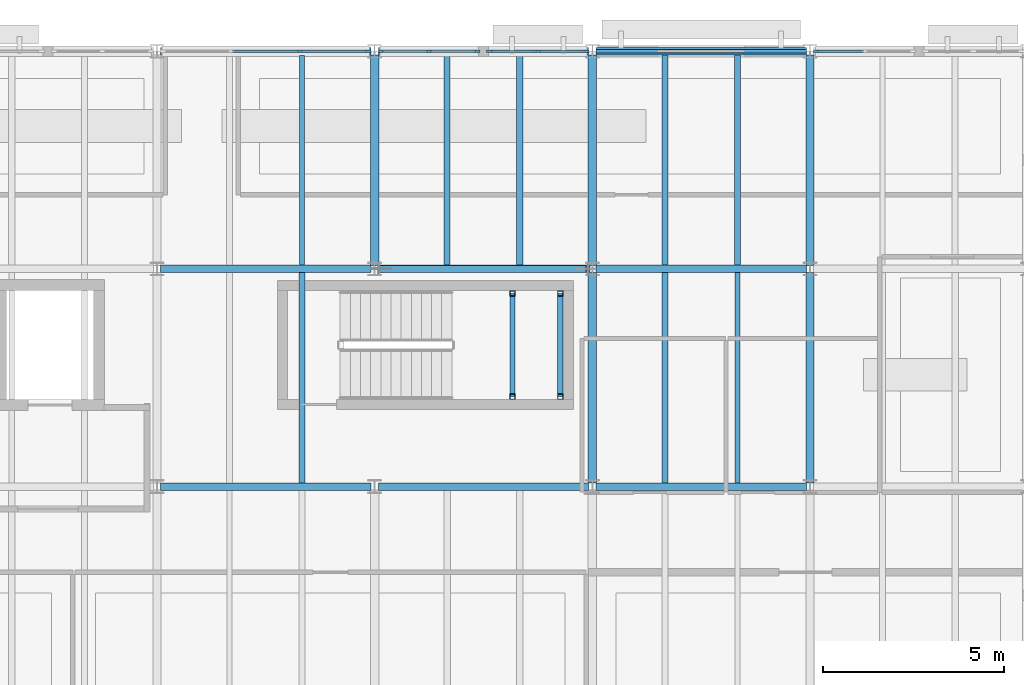
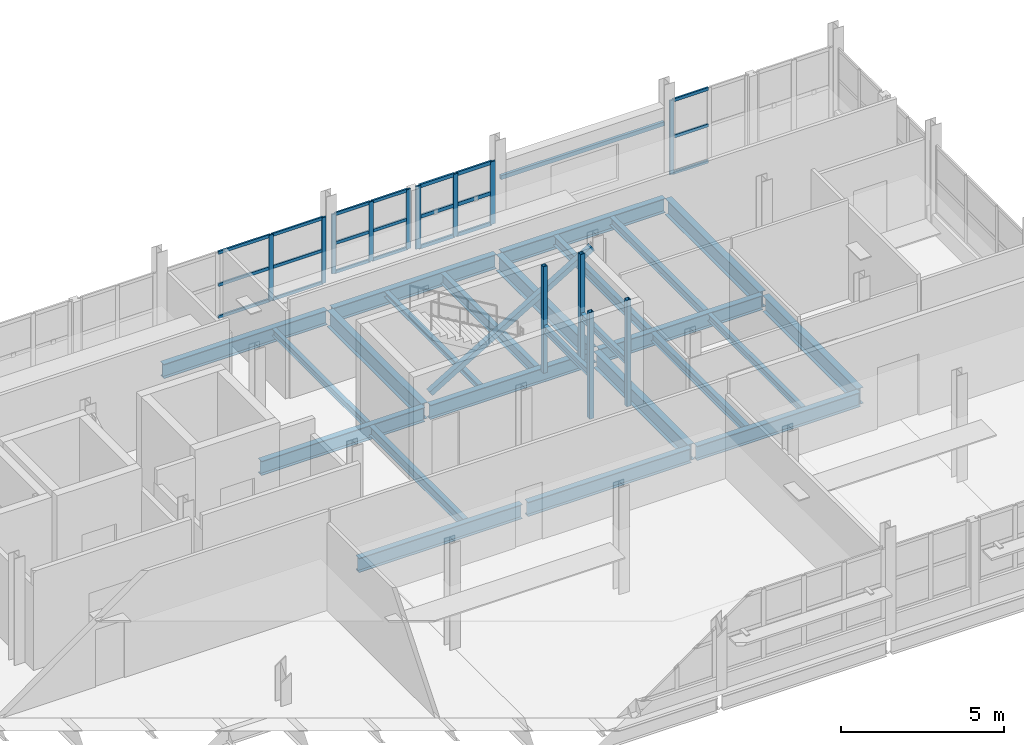
# One storey, part 43 of 92: 35 members, 25 beams, 4 elements without a shape of their own.
"""IFC4 building model written with IfcOpenShell, lengths in metres."""

from ifc_helpers import new_model, si_unit, direction, frame, origin, origin_2d, place, context, subcontext, project, spatial, rectangle, hollow_rectangle, i_section, extrude, material, material_profile, profile_set, type_object, element, aggregate, save


model = new_model("IFC4")

# Units and contexts
model_context = context("Model", 3, precision=1e-05, world=origin(), true_north=direction((0.0, 1.0)))
body_context = subcontext(model_context, "Body", "Model", "MODEL_VIEW")
ifc_project = project(units=[si_unit("LENGTHUNIT", "METRE"), si_unit("AREAUNIT", "SQUARE_METRE"), si_unit("VOLUMEUNIT", "CUBIC_METRE"), si_unit("PLANEANGLEUNIT", "RADIAN"), si_unit("MASSUNIT", "GRAM", prefix="KILO")], contexts=[model_context])

# Site, building, storey
site_placement = place(None, origin())
site = spatial("IfcSite", under=ifc_project, at=site_placement, CompositionType="ELEMENT")
building_placement = place(site_placement, origin())
building = spatial("IfcBuilding", under=site, at=building_placement, Name="Siltcreek Boulevard Central Fire Station", CompositionType="ELEMENT")
storey_placement = place(building_placement, frame((0.0, 0.0, 6.0)))
storey = spatial("IfcBuildingStorey", under=building, at=storey_placement, Name="L02", CompositionType="ELEMENT", Elevation=6.0)

# Beams
ifc_material_1 = material(Name="Structural steel ASTM A992 Gr50", Category="steel")
ifc_material_profile_1 = material_profile(ifc_material_1, i_section(OverallWidth=0.2109375, OverallDepth=0.5390625, WebThickness=0.01171875, FlangeThickness=0.018798828125, at=origin_2d()), Name="W530X109")
ifc_profile_set_1 = profile_set([ifc_material_profile_1], Name="Structural steel ASTM A992 Gr50")
beam_type_1 = type_object("IfcBeamType", Name="BM_W530X109", PredefinedType="BEAM", material=ifc_profile_set_1)
for number, where, z_axis, x_axis, name in (
    (1, (142.300048828125, 100.199951171875, -0.589599609375), (1.0, 0.0, 0.0), (0.0, 1.0, 0.0), "L02 primary steel girder GX-0186"),
    (2, (148.300048828125, 100.199951171875, -0.589599609375), (1.0, 0.0, 0.0), (0.0, 1.0, 0.0), "L02 primary steel girder GX-0187"),
    (3, (154.300048828125, 100.199951171875, -0.589599609375), (1.0, 0.0, 0.0), (0.0, 1.0, 0.0), "L02 primary steel girder GX-0188"),
    (4, (142.300048828125, 106.199951171875, -0.589599609375), (1.0, 0.0, 0.0), (0.0, 1.0, 0.0), "L02 primary steel girder GX-0193"),
    (5, (148.300048828125, 106.199951171875, -0.589599609375), (1.0, 0.0, 0.0), (0.0, 1.0, 0.0), "L02 primary steel girder GX-0194"),
    (6, (154.300048828125, 106.199951171875, -0.589599609375), (1.0, 0.0, 0.0), (0.0, 1.0, 0.0), "L02 primary steel girder GX-0195"),
    (7, (142.300048828125, 112.199951171875, -0.589599609375), (1.0, 0.0, 0.0), (0.0, 1.0, 0.0), "L02 primary steel girder GX-0200"),
    (8, (148.300048828125, 112.199951171875, -0.589599609375), (1.0, 0.0, 0.0), (0.0, 1.0, 0.0), "L02 primary steel girder GX-0201"),
    (9, (154.300048828125, 112.199951171875, -0.589599609375), (1.0, 0.0, 0.0), (0.0, 1.0, 0.0), "L02 primary steel girder GX-0202"),
):
    element("IfcBeam", number, at=place(storey_placement, frame(where, z_axis=z_axis, x_axis=x_axis)), inside=storey, type_object=beam_type_1, Name=name, PredefinedType="BEAM", context=body_context, shape_type="SweptSolid", body=[
        extrude(i_section(OverallWidth=0.2109375, OverallDepth=0.5390625, WebThickness=0.01171875, FlangeThickness=0.018798828125, at=origin_2d()), origin(), (0.0, 0.0, 1.0), 5.800048828125),
    ])
ifc_material_profile_2 = material_profile(ifc_material_1, i_section(OverallWidth=0.22802734375, OverallDepth=0.60791015625, WebThickness=0.01123046875, FlangeThickness=0.017333984375, at=origin_2d()), Name="W610X113")
ifc_profile_set_2 = profile_set([ifc_material_profile_2], Name="Structural steel ASTM A992 Gr50")
beam_type_2 = type_object("IfcBeamType", Name="BM_W610X113", PredefinedType="BEAM", material=ifc_profile_set_2)
for number, where, z_axis, x_axis, name in (
    (10, (148.199951171875, 106.300048828125, -0.6240234375), (0.0, 1.0, 0.0), (-1.0, 0.0, 0.0), "L02 primary steel girder GY-0221"),
    (11, (154.199951171875, 100.300048828125, -0.6240234375), (0.0, 1.0, 0.0), (-1.0, 0.0, 0.0), "L02 primary steel girder GY-0224"),
    (12, (154.199951171875, 106.300048828125, -0.6240234375), (0.0, 1.0, 0.0), (-1.0, 0.0, 0.0), "L02 primary steel girder GY-0225"),
    (13, (160.199951171875, 100.300048828125, -0.6240234375), (0.0, 1.0, 0.0), (-1.0, 0.0, 0.0), "L02 primary steel girder GY-0228"),
    (14, (160.199951171875, 106.300048828125, -0.6240234375), (0.0, 1.0, 0.0), (-1.0, 0.0, 0.0), "L02 primary steel girder GY-0229"),
):
    element("IfcBeam", number, at=place(storey_placement, frame(where, z_axis=z_axis, x_axis=x_axis)), inside=storey, type_object=beam_type_2, Name=name, PredefinedType="BEAM", context=body_context, shape_type="SweptSolid", body=[
        extrude(i_section(OverallWidth=0.22802734375, OverallDepth=0.60791015625, WebThickness=0.01123046875, FlangeThickness=0.017333984375, at=origin_2d()), origin(), (0.0, 0.0, 1.0), 5.800048828125),
    ])

# Members
ifc_material_2 = material(Name="Structural steel ASTM A500 GrC", Category="steel")
ifc_material_profile_3 = material_profile(ifc_material_2, hollow_rectangle(XDim=0.14990234375, YDim=0.14990234375, WallThickness=0.008056640625, at=origin_2d()), Name="HSS150X150X8.0")
ifc_profile_set_3 = profile_set([ifc_material_profile_3], Name="Structural steel ASTM A500 GrC")
member_type_1 = type_object("IfcMemberType", Name="BR_HSS150_8", PredefinedType="BRACE", material=ifc_profile_set_3)
for number, where, z_axis, x_axis, name in (
    (15, (152.0, 102.679931640625, 0.0), (0.0, 0.0, 1.0), (1.0, 0.0, 0.0), "L02 ST-V5B stair landing corner post SW"),
    (16, (152.0, 105.52001953125, 0.0), (0.0, 0.0, 1.0), (1.0, 0.0, 0.0), "L02 ST-V5B stair landing corner post NW"),
    (17, (153.320068359375, 102.679931640625, 0.0), (0.0, 0.0, 1.0), (1.0, 0.0, 0.0), "L02 ST-V5B stair landing corner post SE"),
    (18, (153.320068359375, 105.52001953125, 0.0), (0.0, 0.0, 1.0), (1.0, 0.0, 0.0), "L02 ST-V5B stair landing corner post NE"),
):
    element("IfcMember", number, at=place(storey_placement, frame(where, z_axis=z_axis, x_axis=x_axis)), inside=storey, type_object=member_type_1, Name=name, PredefinedType="BRACE", context=body_context, shape_type="SweptSolid", body=[
        extrude(hollow_rectangle(XDim=0.14990234375, YDim=0.14990234375, WallThickness=0.008056640625, at=origin_2d()), origin(), (0.0, 0.0, 1.0), 4.0),
    ])
ifc_material_profile_4 = material_profile(ifc_material_2, hollow_rectangle(XDim=0.199951171875, YDim=0.199951171875, WallThickness=0.009521484375, at=origin_2d()), Name="HSS200X200X9.5")
ifc_profile_set_4 = profile_set([ifc_material_profile_4], Name="Structural steel ASTM A500 GrC")
member_type_2 = type_object("IfcMemberType", Name="BR_HSS200_9", PredefinedType="BRACE", material=ifc_profile_set_4)
member_1_placement = place(storey_placement, frame((148.320068359375, 106.199951171875, 0.10009765625), z_axis=(0.857890513261, 0.0, 0.513832528415), x_axis=(0.0, 1.0, 0.0)))
element("IfcMember", 19, at=member_1_placement, inside=storey, type_object=member_type_2, Name="L02 buckling-restrained brace BR-027", PredefinedType="BRACE", context=body_context, shape_type="SweptSolid", body=[
    extrude(hollow_rectangle(XDim=0.199951171875, YDim=0.199951171875, WallThickness=0.009521484375, at=origin_2d()), origin(), (0.0, 0.0, 1.0), 6.714111328125),
])

# Curtain wall, members
ifc_material_3 = material(Name="Anodized aluminum and low-E insulated glazing", Category="aluminium")
curtain_wall_type_1 = type_object("IfcCurtainWallType", Name="CW_SYS_16", PredefinedType="USERDEFINED", material=ifc_material_3)
curtain_wall_1_placement = place(storey_placement, origin())
curtain_wall_1 = element("IfcCurtainWall", 20, at=curtain_wall_1_placement, inside=storey, type_object=curtain_wall_type_1, Name="L02 V5 unitised curtain wall CW-135", ObjectType="CURTAIN WALL", PredefinedType="USERDEFINED")
ifc_material_4 = material(Name="Anodized 6063-T6 aluminum framing", Category="aluminium")
ifc_material_profile_5 = material_profile(ifc_material_4, rectangle(XDim=0.06005859375, YDim=0.14990234375, at=origin_2d()), Name="MULL60X150")
ifc_profile_set_5 = profile_set([ifc_material_profile_5], Name="Anodized 6063-T6 aluminum framing")
member_type_3 = type_object("IfcMemberType", Name="CWM_60X150", PredefinedType="MULLION", material=ifc_profile_set_5)
member_2_placement = place(storey_placement, frame((148.02490234375, 112.199951171875, 0.679931640625), z_axis=(0.0, 0.0, 1.0), x_axis=(0.0, -1.0, 0.0)))
member_2 = element("IfcMember", 21, at=member_2_placement, type_object=member_type_3, Name="CW-135 mullion 1", PredefinedType="MULLION", context=body_context, shape_type="SweptSolid", body=[
    extrude(rectangle(XDim=0.06005859375, YDim=0.14990234375, at=origin_2d()), origin(), (0.0, 0.0, 1.0), 2.47314453125),
])
member_3_placement = place(storey_placement, frame((146.151611328125, 112.199951171875, 0.679931640625), z_axis=(0.0, 0.0, 1.0), x_axis=(0.0, -1.0, 0.0)))
member_3 = element("IfcMember", 22, at=member_3_placement, type_object=member_type_3, Name="CW-135 mullion 2", PredefinedType="MULLION", context=body_context, shape_type="SweptSolid", body=[
    extrude(rectangle(XDim=0.06005859375, YDim=0.14990234375, at=origin_2d()), origin(), (0.0, 0.0, 1.0), 2.47314453125),
])

curtain_wall_type_2 = type_object("IfcCurtainWallType", Name="CW_SYS_18", PredefinedType="USERDEFINED", material=ifc_material_3)
curtain_wall_2_placement = place(storey_placement, origin())
curtain_wall_2 = element("IfcCurtainWall", 23, at=curtain_wall_2_placement, inside=storey, type_object=curtain_wall_type_2, Name="L02 V5 unitised curtain wall CW-137", ObjectType="CURTAIN WALL", PredefinedType="USERDEFINED")
member_4_placement = place(storey_placement, frame((151.030029296875, 112.199951171875, 0.919921875), z_axis=(0.0, 0.0, 1.0), x_axis=(0.0, -1.0, 0.0)))
member_4 = element("IfcMember", 24, at=member_4_placement, type_object=member_type_3, Name="CW-137 mullion 1", PredefinedType="MULLION", context=body_context, shape_type="SweptSolid", body=[
    extrude(rectangle(XDim=0.06005859375, YDim=0.14990234375, at=origin_2d()), origin(), (0.0, 0.0, 1.0), 2.233154296875),
])
member_5_placement = place(storey_placement, frame((149.702392578125, 112.199951171875, 0.919921875), z_axis=(0.0, 0.0, 1.0), x_axis=(0.0, -1.0, 0.0)))
member_5 = element("IfcMember", 25, at=member_5_placement, type_object=member_type_3, Name="CW-137 mullion 2", PredefinedType="MULLION", context=body_context, shape_type="SweptSolid", body=[
    extrude(rectangle(XDim=0.06005859375, YDim=0.14990234375, at=origin_2d()), origin(), (0.0, 0.0, 1.0), 2.233154296875),
])
member_6_placement = place(storey_placement, frame((148.375, 112.199951171875, 0.919921875), z_axis=(0.0, 0.0, 1.0), x_axis=(0.0, -1.0, 0.0)))
member_6 = element("IfcMember", 26, at=member_6_placement, type_object=member_type_3, Name="CW-137 mullion 3", PredefinedType="MULLION", context=body_context, shape_type="SweptSolid", body=[
    extrude(rectangle(XDim=0.06005859375, YDim=0.14990234375, at=origin_2d()), origin(), (0.0, 0.0, 1.0), 2.233154296875),
])

# Curtain wall, member
curtain_wall_type_3 = type_object("IfcCurtainWallType", Name="CW_SYS_20", PredefinedType="USERDEFINED", material=ifc_material_3)
curtain_wall_3_placement = place(storey_placement, origin())
curtain_wall_3 = element("IfcCurtainWall", 27, at=curtain_wall_3_placement, inside=storey, type_object=curtain_wall_type_3, Name="L02 V5 unitised curtain wall CW-139", ObjectType="CURTAIN WALL", PredefinedType="USERDEFINED")
member_7_placement = place(storey_placement, frame((160.375, 112.199951171875, 0.43994140625), z_axis=(0.0, 0.0, 1.0), x_axis=(0.0, -1.0, 0.0)))
member_7 = element("IfcMember", 28, at=member_7_placement, type_object=member_type_3, Name="CW-139 mullion 3", PredefinedType="MULLION", context=body_context, shape_type="SweptSolid", body=[
    extrude(rectangle(XDim=0.06005859375, YDim=0.14990234375, at=origin_2d()), origin(), (0.0, 0.0, 1.0), 2.782958984375),
])

# Curtain wall, members
curtain_wall_type_4 = type_object("IfcCurtainWallType", Name="CW_SYS_17", PredefinedType="USERDEFINED", material=ifc_material_3)
curtain_wall_4_placement = place(storey_placement, origin())
curtain_wall_4 = element("IfcCurtainWall", 29, at=curtain_wall_4_placement, inside=storey, type_object=curtain_wall_type_4, Name="L02 V5 unitised curtain wall CW-136", ObjectType="CURTAIN WALL", PredefinedType="USERDEFINED")
ifc_material_profile_6 = material_profile(ifc_material_4, rectangle(XDim=0.06494140625, YDim=0.175048828125, at=origin_2d()), Name="MULL65X175")
ifc_profile_set_6 = profile_set([ifc_material_profile_6], Name="Anodized 6063-T6 aluminum framing")
member_type_4 = type_object("IfcMemberType", Name="CWM_65X175", PredefinedType="MULLION", material=ifc_profile_set_6)
member_8_placement = place(storey_placement, frame((154.0224609375, 112.199951171875, 0.800048828125), z_axis=(0.0, 0.0, 1.0), x_axis=(0.0, -1.0, 0.0)))
member_8 = element("IfcMember", 30, at=member_8_placement, type_object=member_type_4, Name="CW-136 mullion 1", PredefinedType="MULLION", context=body_context, shape_type="SweptSolid", body=[
    extrude(rectangle(XDim=0.06494140625, YDim=0.175048828125, at=origin_2d()), origin(), (0.0, 0.0, 1.0), 2.35302734375),
])
member_9_placement = place(storey_placement, frame((152.697509765625, 112.199951171875, 0.800048828125), z_axis=(0.0, 0.0, 1.0), x_axis=(0.0, -1.0, 0.0)))
member_9 = element("IfcMember", 31, at=member_9_placement, type_object=member_type_4, Name="CW-136 mullion 2", PredefinedType="MULLION", context=body_context, shape_type="SweptSolid", body=[
    extrude(rectangle(XDim=0.06494140625, YDim=0.175048828125, at=origin_2d()), origin(), (0.0, 0.0, 1.0), 2.35302734375),
])
member_10_placement = place(storey_placement, frame((151.37255859375, 112.199951171875, 0.800048828125), z_axis=(0.0, 0.0, 1.0), x_axis=(0.0, -1.0, 0.0)))
member_10 = element("IfcMember", 32, at=member_10_placement, type_object=member_type_4, Name="CW-136 mullion 3", PredefinedType="MULLION", context=body_context, shape_type="SweptSolid", body=[
    extrude(rectangle(XDim=0.06494140625, YDim=0.175048828125, at=origin_2d()), origin(), (0.0, 0.0, 1.0), 2.35302734375),
])

# Member
ifc_material_profile_7 = material_profile(ifc_material_4, rectangle(XDim=0.06005859375, YDim=0.114990234375, at=origin_2d()), Name="TRAN60X115")
ifc_profile_set_7 = profile_set([ifc_material_profile_7], Name="Anodized 6063-T6 aluminum framing")
member_type_5 = type_object("IfcMemberType", Name="CWT_60X115", PredefinedType="USERDEFINED", material=ifc_profile_set_7)
member_11_placement = place(storey_placement, frame((147.9951171875, 112.199951171875, 0.7099609375), z_axis=(-1.0, 0.0, 0.0), x_axis=(0.0, -1.0, 0.0)))
member_11 = element("IfcMember", 33, at=member_11_placement, type_object=member_type_5, Name="CW-135 transom 1.1", ObjectType="TRANSOM", PredefinedType="USERDEFINED", context=body_context, shape_type="SweptSolid", body=[
    extrude(rectangle(XDim=0.06005859375, YDim=0.114990234375, at=origin_2d()), origin(), (0.0, 0.0, 1.0), 1.8134765625),
])

member_12_placement = place(storey_placement, frame((147.9951171875, 112.199951171875, 1.91650390625), z_axis=(-1.0, 0.0, 0.0), x_axis=(0.0, -1.0, 0.0)))
member_12 = element("IfcMember", 34, at=member_12_placement, type_object=member_type_5, Name="CW-135 transom 1.2", ObjectType="TRANSOM", PredefinedType="USERDEFINED", context=body_context, shape_type="SweptSolid", body=[
    extrude(rectangle(XDim=0.06005859375, YDim=0.114990234375, at=origin_2d()), origin(), (0.0, 0.0, 1.0), 1.8134765625),
])

member_13_placement = place(storey_placement, frame((147.9951171875, 112.199951171875, 3.123046875), z_axis=(-1.0, 0.0, 0.0), x_axis=(0.0, -1.0, 0.0)))
member_13 = element("IfcMember", 35, at=member_13_placement, type_object=member_type_5, Name="CW-135 transom 1.3", ObjectType="TRANSOM", PredefinedType="USERDEFINED", context=body_context, shape_type="SweptSolid", body=[
    extrude(rectangle(XDim=0.06005859375, YDim=0.114990234375, at=origin_2d()), origin(), (0.0, 0.0, 1.0), 1.8134765625),
])

member_14_placement = place(storey_placement, frame((146.12158203125, 112.199951171875, 0.7099609375), z_axis=(-1.0, 0.0, 0.0), x_axis=(0.0, -1.0, 0.0)))
member_14 = element("IfcMember", 36, at=member_14_placement, type_object=member_type_5, Name="CW-135 transom 2.1", ObjectType="TRANSOM", PredefinedType="USERDEFINED", context=body_context, shape_type="SweptSolid", body=[
    extrude(rectangle(XDim=0.06005859375, YDim=0.114990234375, at=origin_2d()), origin(), (0.0, 0.0, 1.0), 1.84326171875),
])

member_15_placement = place(storey_placement, frame((146.12158203125, 112.199951171875, 1.91650390625), z_axis=(-1.0, 0.0, 0.0), x_axis=(0.0, -1.0, 0.0)))
member_15 = element("IfcMember", 37, at=member_15_placement, type_object=member_type_5, Name="CW-135 transom 2.2", ObjectType="TRANSOM", PredefinedType="USERDEFINED", context=body_context, shape_type="SweptSolid", body=[
    extrude(rectangle(XDim=0.06005859375, YDim=0.114990234375, at=origin_2d()), origin(), (0.0, 0.0, 1.0), 1.84326171875),
])

member_16_placement = place(storey_placement, frame((146.12158203125, 112.199951171875, 3.123046875), z_axis=(-1.0, 0.0, 0.0), x_axis=(0.0, -1.0, 0.0)))
member_16 = element("IfcMember", 38, at=member_16_placement, type_object=member_type_5, Name="CW-135 transom 2.3", ObjectType="TRANSOM", PredefinedType="USERDEFINED", context=body_context, shape_type="SweptSolid", body=[
    extrude(rectangle(XDim=0.06005859375, YDim=0.114990234375, at=origin_2d()), origin(), (0.0, 0.0, 1.0), 1.84326171875),
])

aggregate(curtain_wall_1, [member_2, member_3, member_11, member_12, member_13, member_14, member_15, member_16])

member_17_placement = place(storey_placement, frame((151.0, 112.199951171875, 0.949951171875), z_axis=(-1.0, 0.0, 0.0), x_axis=(0.0, -1.0, 0.0)))
member_17 = element("IfcMember", 39, at=member_17_placement, type_object=member_type_5, Name="CW-137 transom 1.1", ObjectType="TRANSOM", PredefinedType="USERDEFINED", context=body_context, shape_type="SweptSolid", body=[
    extrude(rectangle(XDim=0.06005859375, YDim=0.114990234375, at=origin_2d()), origin(), (0.0, 0.0, 1.0), 1.267578125),
])

member_18_placement = place(storey_placement, frame((151.0, 112.199951171875, 2.03662109375), z_axis=(-1.0, 0.0, 0.0), x_axis=(0.0, -1.0, 0.0)))
member_18 = element("IfcMember", 40, at=member_18_placement, type_object=member_type_5, Name="CW-137 transom 1.2", ObjectType="TRANSOM", PredefinedType="USERDEFINED", context=body_context, shape_type="SweptSolid", body=[
    extrude(rectangle(XDim=0.06005859375, YDim=0.114990234375, at=origin_2d()), origin(), (0.0, 0.0, 1.0), 1.267578125),
])

member_19_placement = place(storey_placement, frame((151.0, 112.199951171875, 3.123046875), z_axis=(-1.0, 0.0, 0.0), x_axis=(0.0, -1.0, 0.0)))
member_19 = element("IfcMember", 41, at=member_19_placement, type_object=member_type_5, Name="CW-137 transom 1.3", ObjectType="TRANSOM", PredefinedType="USERDEFINED", context=body_context, shape_type="SweptSolid", body=[
    extrude(rectangle(XDim=0.06005859375, YDim=0.114990234375, at=origin_2d()), origin(), (0.0, 0.0, 1.0), 1.267578125),
])

member_20_placement = place(storey_placement, frame((149.672607421875, 112.199951171875, 0.949951171875), z_axis=(-1.0, 0.0, 0.0), x_axis=(0.0, -1.0, 0.0)))
member_20 = element("IfcMember", 42, at=member_20_placement, type_object=member_type_5, Name="CW-137 transom 2.1", ObjectType="TRANSOM", PredefinedType="USERDEFINED", context=body_context, shape_type="SweptSolid", body=[
    extrude(rectangle(XDim=0.06005859375, YDim=0.114990234375, at=origin_2d()), origin(), (0.0, 0.0, 1.0), 1.267578125),
])

member_21_placement = place(storey_placement, frame((149.672607421875, 112.199951171875, 2.03662109375), z_axis=(-1.0, 0.0, 0.0), x_axis=(0.0, -1.0, 0.0)))
member_21 = element("IfcMember", 43, at=member_21_placement, type_object=member_type_5, Name="CW-137 transom 2.2", ObjectType="TRANSOM", PredefinedType="USERDEFINED", context=body_context, shape_type="SweptSolid", body=[
    extrude(rectangle(XDim=0.06005859375, YDim=0.114990234375, at=origin_2d()), origin(), (0.0, 0.0, 1.0), 1.267578125),
])

member_22_placement = place(storey_placement, frame((149.672607421875, 112.199951171875, 3.123046875), z_axis=(-1.0, 0.0, 0.0), x_axis=(0.0, -1.0, 0.0)))
member_22 = element("IfcMember", 44, at=member_22_placement, type_object=member_type_5, Name="CW-137 transom 2.3", ObjectType="TRANSOM", PredefinedType="USERDEFINED", context=body_context, shape_type="SweptSolid", body=[
    extrude(rectangle(XDim=0.06005859375, YDim=0.114990234375, at=origin_2d()), origin(), (0.0, 0.0, 1.0), 1.267578125),
])

aggregate(curtain_wall_2, [member_4, member_5, member_6, member_17, member_18, member_19, member_20, member_21, member_22])

member_23_placement = place(storey_placement, frame((161.672607421875, 112.199951171875, 0.469970703125), z_axis=(-1.0, 0.0, 0.0), x_axis=(0.0, -1.0, 0.0)))
member_23 = element("IfcMember", 45, at=member_23_placement, type_object=member_type_5, Name="CW-139 transom 2.1", ObjectType="TRANSOM", PredefinedType="USERDEFINED", context=body_context, shape_type="SweptSolid", body=[
    extrude(rectangle(XDim=0.06005859375, YDim=0.114990234375, at=origin_2d()), origin(), (0.0, 0.0, 1.0), 1.267578125),
])

member_24_placement = place(storey_placement, frame((161.672607421875, 112.199951171875, 1.83154296875), z_axis=(-1.0, 0.0, 0.0), x_axis=(0.0, -1.0, 0.0)))
member_24 = element("IfcMember", 46, at=member_24_placement, type_object=member_type_5, Name="CW-139 transom 2.2", ObjectType="TRANSOM", PredefinedType="USERDEFINED", context=body_context, shape_type="SweptSolid", body=[
    extrude(rectangle(XDim=0.06005859375, YDim=0.114990234375, at=origin_2d()), origin(), (0.0, 0.0, 1.0), 1.267578125),
])

member_25_placement = place(storey_placement, frame((161.672607421875, 112.199951171875, 3.193115234375), z_axis=(-1.0, 0.0, 0.0), x_axis=(0.0, -1.0, 0.0)))
member_25 = element("IfcMember", 47, at=member_25_placement, type_object=member_type_5, Name="CW-139 transom 2.3", ObjectType="TRANSOM", PredefinedType="USERDEFINED", context=body_context, shape_type="SweptSolid", body=[
    extrude(rectangle(XDim=0.06005859375, YDim=0.114990234375, at=origin_2d()), origin(), (0.0, 0.0, 1.0), 1.267578125),
])

aggregate(curtain_wall_3, [member_7, member_23, member_24, member_25])

ifc_material_profile_8 = material_profile(ifc_material_4, rectangle(XDim=0.06494140625, YDim=0.135009765625, at=origin_2d()), Name="TRAN65X135")
ifc_profile_set_8 = profile_set([ifc_material_profile_8], Name="Anodized 6063-T6 aluminum framing")
member_type_6 = type_object("IfcMemberType", Name="CWT_65X135", PredefinedType="USERDEFINED", material=ifc_profile_set_8)
member_26_placement = place(storey_placement, frame((153.989990234375, 112.199951171875, 0.83251953125), z_axis=(-1.0, 0.0, 0.0), x_axis=(0.0, -1.0, 0.0)))
member_26 = element("IfcMember", 48, at=member_26_placement, type_object=member_type_6, Name="CW-136 transom 1.1", ObjectType="TRANSOM", PredefinedType="USERDEFINED", context=body_context, shape_type="SweptSolid", body=[
    extrude(rectangle(XDim=0.06494140625, YDim=0.135009765625, at=origin_2d()), origin(), (0.0, 0.0, 1.0), 1.260009765625),
])

member_27_placement = place(storey_placement, frame((153.989990234375, 112.199951171875, 1.9765625), z_axis=(-1.0, 0.0, 0.0), x_axis=(0.0, -1.0, 0.0)))
member_27 = element("IfcMember", 49, at=member_27_placement, type_object=member_type_6, Name="CW-136 transom 1.2", ObjectType="TRANSOM", PredefinedType="USERDEFINED", context=body_context, shape_type="SweptSolid", body=[
    extrude(rectangle(XDim=0.06494140625, YDim=0.135009765625, at=origin_2d()), origin(), (0.0, 0.0, 1.0), 1.260009765625),
])

member_28_placement = place(storey_placement, frame((153.989990234375, 112.199951171875, 3.12060546875), z_axis=(-1.0, 0.0, 0.0), x_axis=(0.0, -1.0, 0.0)))
member_28 = element("IfcMember", 50, at=member_28_placement, type_object=member_type_6, Name="CW-136 transom 1.3", ObjectType="TRANSOM", PredefinedType="USERDEFINED", context=body_context, shape_type="SweptSolid", body=[
    extrude(rectangle(XDim=0.06494140625, YDim=0.135009765625, at=origin_2d()), origin(), (0.0, 0.0, 1.0), 1.260009765625),
])

member_29_placement = place(storey_placement, frame((152.6650390625, 112.199951171875, 0.83251953125), z_axis=(-1.0, 0.0, 0.0), x_axis=(0.0, -1.0, 0.0)))
member_29 = element("IfcMember", 51, at=member_29_placement, type_object=member_type_6, Name="CW-136 transom 2.1", ObjectType="TRANSOM", PredefinedType="USERDEFINED", context=body_context, shape_type="SweptSolid", body=[
    extrude(rectangle(XDim=0.06494140625, YDim=0.135009765625, at=origin_2d()), origin(), (0.0, 0.0, 1.0), 1.260009765625),
])

member_30_placement = place(storey_placement, frame((152.6650390625, 112.199951171875, 1.9765625), z_axis=(-1.0, 0.0, 0.0), x_axis=(0.0, -1.0, 0.0)))
member_30 = element("IfcMember", 52, at=member_30_placement, type_object=member_type_6, Name="CW-136 transom 2.2", ObjectType="TRANSOM", PredefinedType="USERDEFINED", context=body_context, shape_type="SweptSolid", body=[
    extrude(rectangle(XDim=0.06494140625, YDim=0.135009765625, at=origin_2d()), origin(), (0.0, 0.0, 1.0), 1.260009765625),
])

member_31_placement = place(storey_placement, frame((152.6650390625, 112.199951171875, 3.12060546875), z_axis=(-1.0, 0.0, 0.0), x_axis=(0.0, -1.0, 0.0)))
member_31 = element("IfcMember", 53, at=member_31_placement, type_object=member_type_6, Name="CW-136 transom 2.3", ObjectType="TRANSOM", PredefinedType="USERDEFINED", context=body_context, shape_type="SweptSolid", body=[
    extrude(rectangle(XDim=0.06494140625, YDim=0.135009765625, at=origin_2d()), origin(), (0.0, 0.0, 1.0), 1.260009765625),
])

aggregate(curtain_wall_4, [member_8, member_9, member_10, member_26, member_27, member_28, member_29, member_30, member_31])

# Beams
ifc_material_profile_9 = material_profile(ifc_material_1, i_section(OverallWidth=0.1650390625, OverallDepth=0.200927734375, WebThickness=0.006103515625, FlangeThickness=0.01025390625, at=origin_2d()), Name="W200X36")
ifc_profile_set_9 = profile_set([ifc_material_profile_9], Name="Structural steel ASTM A992 Gr50")
beam_type_3 = type_object("IfcBeamType", Name="JST_W200X36", PredefinedType="JOIST", material=ifc_profile_set_9)
beam_1_placement = place(storey_placement, frame((150.199951171875, 106.303466796875, -0.42041015625), z_axis=(0.0, 1.0, 0.0), x_axis=(-1.0, 0.0, 0.0)))
element("IfcBeam", 54, at=beam_1_placement, inside=storey, type_object=beam_type_3, Name="L02 secondary steel floor joist 0187", PredefinedType="JOIST", context=body_context, shape_type="SweptSolid", body=[
    extrude(i_section(OverallWidth=0.1650390625, OverallDepth=0.200927734375, WebThickness=0.006103515625, FlangeThickness=0.01025390625, at=origin_2d()), origin(), (0.0, 0.0, 1.0), 5.79296875),
])
ifc_material_profile_10 = material_profile(ifc_material_1, i_section(OverallWidth=0.14697265625, OverallDepth=0.261962890625, WebThickness=0.006591796875, FlangeThickness=0.01123046875, at=origin_2d()), Name="W250X39")
ifc_profile_set_10 = profile_set([ifc_material_profile_10], Name="Structural steel ASTM A992 Gr50")
beam_type_4 = type_object("IfcBeamType", Name="JST_W250X39", PredefinedType="JOIST", material=ifc_profile_set_10)
for number, where, z_axis, x_axis, name in (
    (55, (158.199951171875, 100.303466796875, -0.450927734375), (0.0, 1.0, 0.0), (-1.0, 0.0, 0.0), "L02 secondary steel floor joist 0176"),
    (56, (146.199951171875, 106.303466796875, -0.450927734375), (0.0, 1.0, 0.0), (-1.0, 0.0, 0.0), "L02 secondary steel floor joist 0186"),
):
    element("IfcBeam", number, at=place(storey_placement, frame(where, z_axis=z_axis, x_axis=x_axis)), inside=storey, type_object=beam_type_4, Name=name, PredefinedType="JOIST", context=body_context, shape_type="SweptSolid", body=[
        extrude(i_section(OverallWidth=0.14697265625, OverallDepth=0.261962890625, WebThickness=0.006591796875, FlangeThickness=0.01123046875, at=origin_2d()), origin(), (0.0, 0.0, 1.0), 5.79296875),
    ])
for number, where, z_axis, x_axis, name in (
    (57, (152.0, 102.679931640625, 1.6689453125), (0.0, 1.0, 0.0), (-1.0, 0.0, 0.0), "L02 ST-V5B stair landing bearer MIDW"),
    (58, (153.320068359375, 102.679931640625, 1.6689453125), (0.0, 1.0, 0.0), (-1.0, 0.0, 0.0), "L02 ST-V5B stair landing bearer MIDE"),
):
    element("IfcBeam", number, at=place(storey_placement, frame(where, z_axis=z_axis, x_axis=x_axis)), inside=storey, type_object=beam_type_4, Name=name, PredefinedType="JOIST", context=body_context, shape_type="SweptSolid", body=[
        extrude(i_section(OverallWidth=0.14697265625, OverallDepth=0.261962890625, WebThickness=0.006591796875, FlangeThickness=0.01123046875, at=origin_2d()), origin(), (0.0, 0.0, 1.0), 2.840087890625),
    ])
ifc_material_profile_11 = material_profile(ifc_material_1, i_section(OverallWidth=0.166015625, OverallDepth=0.31298828125, WebThickness=0.006591796875, FlangeThickness=0.01123046875, at=origin_2d()), Name="W310X45")
ifc_profile_set_11 = profile_set([ifc_material_profile_11], Name="Structural steel ASTM A992 Gr50")
beam_type_5 = type_object("IfcBeamType", Name="JST_W310X45", PredefinedType="JOIST", material=ifc_profile_set_11)
for number, where, z_axis, x_axis, name in (
    (59, (156.199951171875, 100.303466796875, -0.4765625), (0.0, 1.0, 0.0), (-1.0, 0.0, 0.0), "L02 secondary steel floor joist 0175"),
    (60, (158.199951171875, 106.303466796875, -0.4765625), (0.0, 1.0, 0.0), (-1.0, 0.0, 0.0), "L02 secondary steel floor joist 0190"),
):
    element("IfcBeam", number, at=place(storey_placement, frame(where, z_axis=z_axis, x_axis=x_axis)), inside=storey, type_object=beam_type_5, Name=name, PredefinedType="JOIST", context=body_context, shape_type="SweptSolid", body=[
        extrude(i_section(OverallWidth=0.166015625, OverallDepth=0.31298828125, WebThickness=0.006591796875, FlangeThickness=0.01123046875, at=origin_2d()), origin(), (0.0, 0.0, 1.0), 5.79296875),
    ])
ifc_material_profile_12 = material_profile(ifc_material_1, i_section(OverallWidth=0.172119140625, OverallDepth=0.35791015625, WebThickness=0.0078125, FlangeThickness=0.01318359375, at=origin_2d()), Name="W360X57")
ifc_profile_set_12 = profile_set([ifc_material_profile_12], Name="Structural steel ASTM A992 Gr50")
beam_type_6 = type_object("IfcBeamType", Name="JST_W360X57", PredefinedType="JOIST", material=ifc_profile_set_12)
for number, where, z_axis, x_axis, name in (
    (61, (146.199951171875, 100.303466796875, -0.4990234375), (0.0, 1.0, 0.0), (-1.0, 0.0, 0.0), "L02 secondary steel floor joist 0174"),
    (62, (156.199951171875, 106.303466796875, -0.4990234375), (0.0, 1.0, 0.0), (-1.0, 0.0, 0.0), "L02 secondary steel floor joist 0189"),
):
    element("IfcBeam", number, at=place(storey_placement, frame(where, z_axis=z_axis, x_axis=x_axis)), inside=storey, type_object=beam_type_6, Name=name, PredefinedType="JOIST", context=body_context, shape_type="SweptSolid", body=[
        extrude(i_section(OverallWidth=0.172119140625, OverallDepth=0.35791015625, WebThickness=0.0078125, FlangeThickness=0.01318359375, at=origin_2d()), origin(), (0.0, 0.0, 1.0), 5.79296875),
    ])
ifc_material_profile_13 = material_profile(ifc_material_1, i_section(OverallWidth=0.177001953125, OverallDepth=0.403076171875, WebThickness=0.007568359375, FlangeThickness=0.010986328125, at=origin_2d()), Name="W410X53")
ifc_profile_set_13 = profile_set([ifc_material_profile_13], Name="Structural steel ASTM A992 Gr50")
beam_type_7 = type_object("IfcBeamType", Name="JST_W410X53", PredefinedType="JOIST", material=ifc_profile_set_13)
beam_2_placement = place(storey_placement, frame((152.199951171875, 106.303466796875, -0.521484375), z_axis=(0.0, 1.0, 0.0), x_axis=(-1.0, 0.0, 0.0)))
element("IfcBeam", 63, at=beam_2_placement, inside=storey, type_object=beam_type_7, Name="L02 secondary steel floor joist 0188", PredefinedType="JOIST", context=body_context, shape_type="SweptSolid", body=[
    extrude(i_section(OverallWidth=0.177001953125, OverallDepth=0.403076171875, WebThickness=0.007568359375, FlangeThickness=0.010986328125, at=origin_2d()), origin(), (0.0, 0.0, 1.0), 5.79296875),
])
ifc_material_profile_14 = material_profile(ifc_material_2, hollow_rectangle(XDim=0.10009765625, YDim=0.14990234375, WallThickness=0.00634765625, at=origin_2d()), Name="HSS150X100X6.4")
ifc_profile_set_14 = profile_set([ifc_material_profile_14], Name="Structural steel ASTM A500 GrC")
beam_type_8 = type_object("IfcBeamType", Name="LIN_HSS150X100", PredefinedType="LINTEL", material=ifc_profile_set_14)
beam_3_placement = place(storey_placement, frame((160.10009765625, 112.199951171875, 2.449951171875), z_axis=(-1.0, 0.0, 0.0), x_axis=(0.0, -1.0, 0.0)))
element("IfcBeam", 64, at=beam_3_placement, inside=storey, type_object=beam_type_8, Name="Exterior window steel lintel WLN-47", PredefinedType="LINTEL", context=body_context, shape_type="SweptSolid", body=[
    extrude(hollow_rectangle(XDim=0.10009765625, YDim=0.14990234375, WallThickness=0.00634765625, at=origin_2d()), origin(), (0.0, 0.0, 1.0), 5.800048828125),
])

save(model, "model.ifc")
